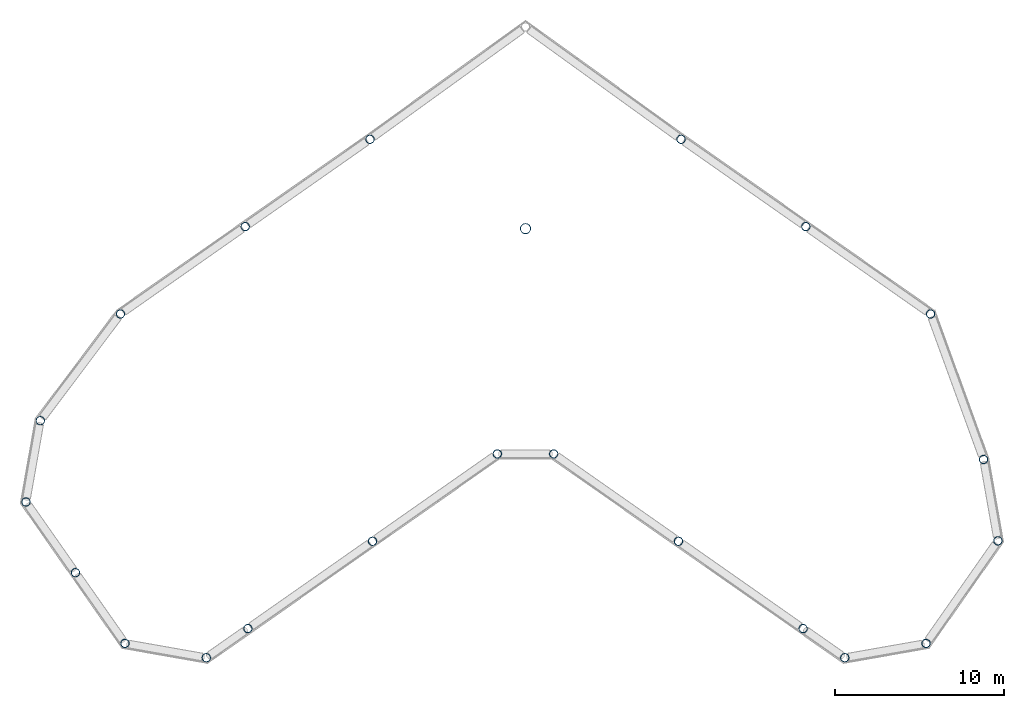
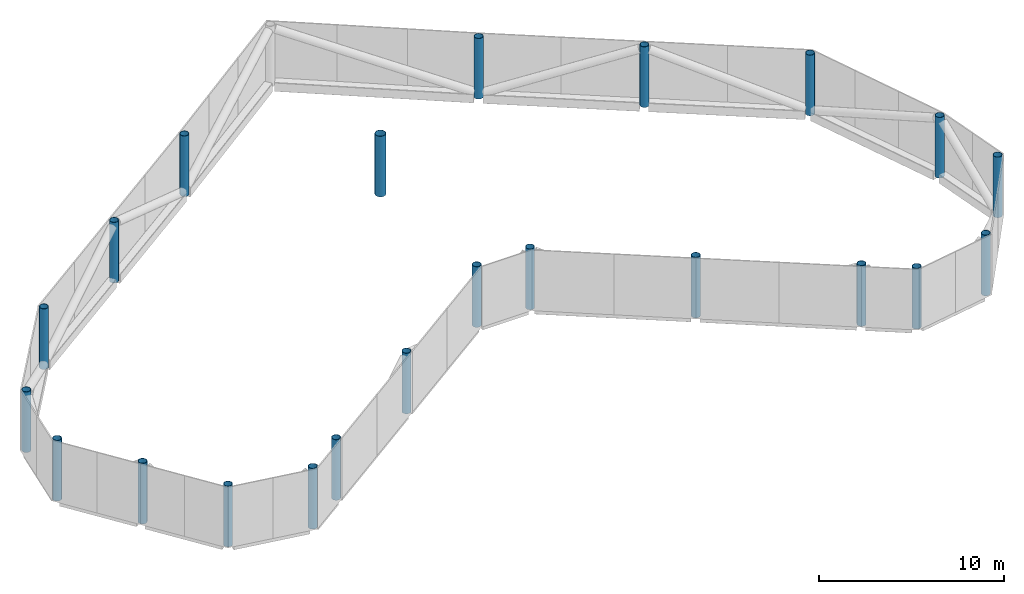
# One storey, part 1 of 4: 22 columns.
"""IFC4 building model written with IfcOpenShell, lengths in metres."""

from ifc_helpers import new_model, si_unit, direction, frame, origin, origin_with_axes, origin_2d, place, context, subcontext, project, spatial, hollow_circle, extrude, material, material_profile, profile_set, type_object, element, save


model = new_model("IFC4")

# Units and contexts
model_context = context("Model", 3, precision=1e-05, world=origin(), true_north=direction((0.0, 1.0)))
body_context = subcontext(model_context, "Body", "Model", "MODEL_VIEW")
ifc_project = project(units=[si_unit("LENGTHUNIT", "METRE"), si_unit("AREAUNIT", "SQUARE_METRE"), si_unit("VOLUMEUNIT", "CUBIC_METRE"), si_unit("PLANEANGLEUNIT", "RADIAN"), si_unit("MASSUNIT", "GRAM", prefix="KILO")], contexts=[model_context])

# Site, building, storey
site_placement = place(None, origin())
site = spatial("IfcSite", under=ifc_project, at=site_placement, CompositionType="ELEMENT")
building_placement = place(site_placement, origin())
building = spatial("IfcBuilding", under=site, at=building_placement, Name="Tel Ilan Convention Tower", CompositionType="ELEMENT")
storey_placement = place(building_placement, frame((0.0, 0.0, 326.800048828125)))
storey = spatial("IfcBuildingStorey", under=building, at=storey_placement, Name="L77", CompositionType="ELEMENT", Elevation=326.800048828125)

# Columns
ifc_material_1 = material(Name="Steel S355", Category="steel")
ifc_material_profile_1 = material_profile(ifc_material_1, hollow_circle(Radius=0.25390625, WallThickness=0.02490234375, at=origin_2d()), Name="CHS 508x25")
ifc_profile_set_1 = profile_set([ifc_material_profile_1], Name="Steel S355")
column_type_1 = type_object("IfcColumnType", Name="CROWN FRAME COLUMN CHS 508x25", PredefinedType="COLUMN", material=ifc_profile_set_1)
for number, where, z_axis, x_axis, name in (
    (1, (-18.866943359375, -25.35791015625, 0.0), (0.0, 0.0, 1.0), (1.0, 0.0, 0.0), "CROWN FRAME column"),
    (2, (-16.409912109375, -23.636962890625, 0.0), (0.0, 0.0, 1.0), (1.0, 0.0, 0.0), "CROWN FRAME column"),
    (3, (-9.0380859375, -18.47509765625, 0.0), (0.0, 0.0, 1.0), (1.0, 0.0, 0.0), "CROWN FRAME column"),
    (4, (-1.6650390625, -13.31298828125, 0.0), (0.0, 0.0, 1.0), (1.0, 0.0, 0.0), "CROWN FRAME column"),
    (5, (1.6650390625, -13.31298828125, 0.0), (0.0, 0.0, 1.0), (1.0, 0.0, 0.0), "CROWN FRAME column"),
    (6, (9.0380859375, -18.47509765625, 0.0), (0.0, 0.0, 1.0), (1.0, 0.0, 0.0), "CROWN FRAME column"),
    (7, (16.409912109375, -23.636962890625, 0.0), (0.0, 0.0, 1.0), (1.0, 0.0, 0.0), "CROWN FRAME column"),
    (8, (18.866943359375, -25.35791015625, 0.0), (0.0, 0.0, 1.0), (1.0, 0.0, 0.0), "CROWN FRAME column"),
    (9, (23.672119140625, -24.510986328125, 0.0), (0.0, 0.0, 1.0), (1.0, 0.0, 0.0), "CROWN FRAME column"),
    (10, (27.9169921875, -18.448974609375, 0.0), (0.0, 0.0, 1.0), (1.0, 0.0, 0.0), "CROWN FRAME column"),
    (11, (27.070068359375, -13.64404296875, 0.0), (0.0, 0.0, 1.0), (1.0, 0.0, 0.0), "CROWN FRAME column"),
    (12, (23.93701171875, -5.0419921875, 0.0), (0.0, 0.0, 1.0), (1.0, 0.0, 0.0), "CROWN FRAME column"),
    (13, (16.56494140625, 0.12109375, 0.0), (0.0, 0.0, 1.0), (1.0, 0.0, 0.0), "CROWN FRAME column"),
    (14, (9.193115234375, 5.282958984375, 0.0), (0.0, 0.0, 1.0), (1.0, 0.0, 0.0), "CROWN FRAME column"),
    (15, (-9.193115234375, 5.282958984375, 0.0), (0.0, 0.0, 1.0), (1.0, 0.0, 0.0), "CROWN FRAME column"),
    (16, (-16.56494140625, 0.12109375, 0.0), (0.0, 0.0, 1.0), (1.0, 0.0, 0.0), "CROWN FRAME column"),
    (17, (-23.93701171875, -5.0419921875, 0.0), (0.0, 0.0, 1.0), (1.0, 0.0, 0.0), "CROWN FRAME column"),
    (18, (-28.676025390625, -11.35009765625, 0.0), (0.0, 0.0, 1.0), (1.0, 0.0, 0.0), "CROWN FRAME column"),
    (19, (-29.52294921875, -16.155029296875, 0.0), (0.0, 0.0, 1.0), (1.0, 0.0, 0.0), "CROWN FRAME column"),
    (20, (-26.597900390625, -20.3330078125, 0.0), (0.0, 0.0, 1.0), (1.0, 0.0, 0.0), "CROWN FRAME column"),
    (21, (-23.672119140625, -24.510986328125, 0.0), (0.0, 0.0, 1.0), (1.0, 0.0, 0.0), "CROWN FRAME column"),
):
    element("IfcColumn", number, at=place(storey_placement, frame(where, z_axis=z_axis, x_axis=x_axis)), inside=storey, type_object=column_type_1, Name=name, PredefinedType="COLUMN", context=body_context, shape_type="SweptSolid", body=[
        extrude(hollow_circle(Radius=0.25390625, WallThickness=0.02490234375, at=origin_2d()), origin(), (0.0, 0.0, 1.0), 4.0),
    ])
ifc_material_2 = material(Name="Steel S355", Category="steel")
ifc_material_profile_2 = material_profile(ifc_material_2, hollow_circle(Radius=0.304931640625, WallThickness=0.02001953125, at=origin_2d()), Name="CHS 610x20")
ifc_profile_set_2 = profile_set([ifc_material_profile_2], Name="Steel S355")
column_type_2 = type_object("IfcColumnType", Name="CROWN FRAME MAST CHS 610x20", PredefinedType="COLUMN", material=ifc_profile_set_2)
column_placement = place(storey_placement, origin_with_axes())
element("IfcColumn", 22, at=column_placement, inside=storey, type_object=column_type_2, Name="CROWN FRAME mast", PredefinedType="COLUMN", context=body_context, shape_type="SweptSolid", body=[
    extrude(hollow_circle(Radius=0.304931640625, WallThickness=0.02001953125, at=origin_2d()), origin(), (0.0, 0.0, 1.0), 4.0),
])

save(model, "model.ifc")
